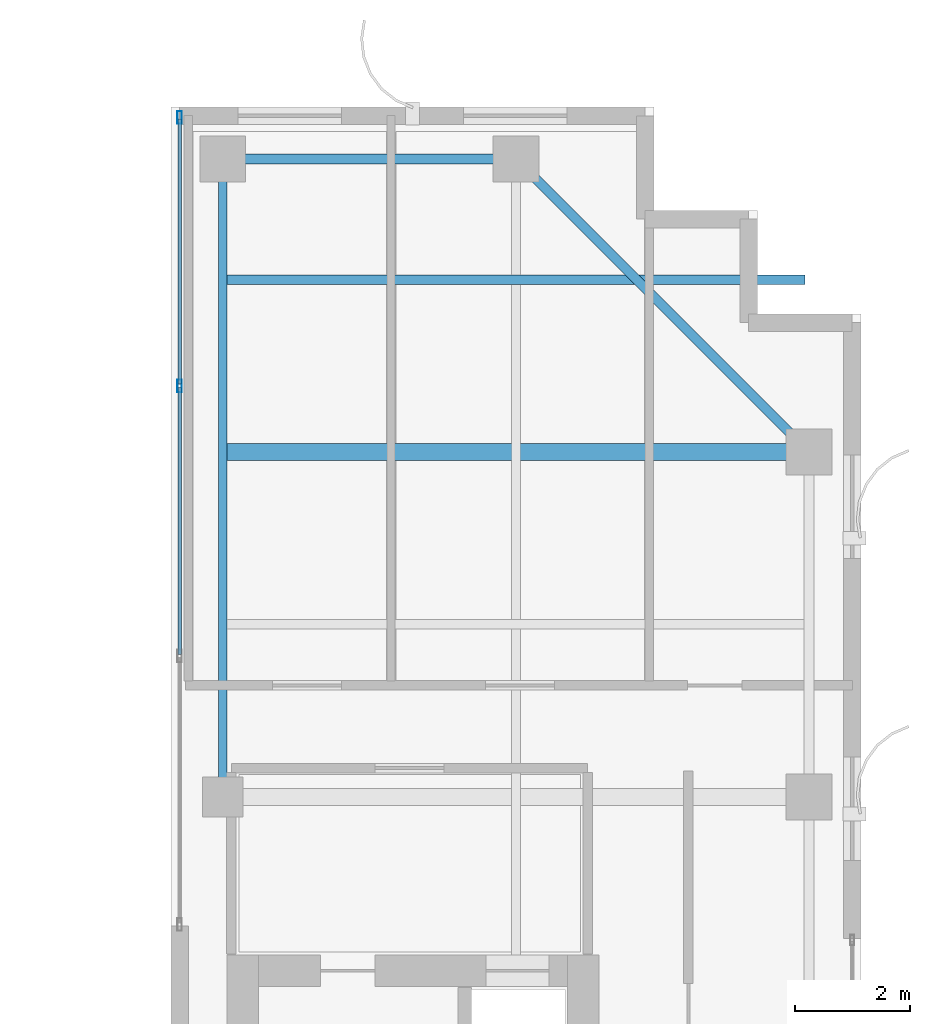
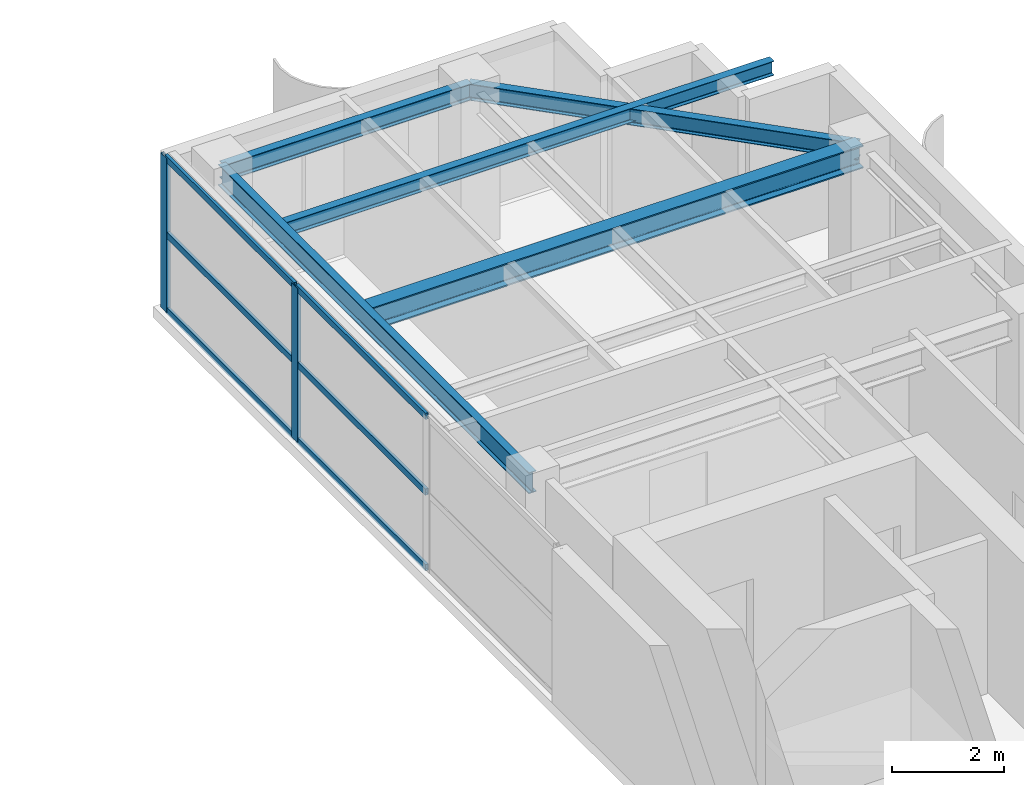
# One storey, part 16 of 24: 8 members, 5 beams, 1 element without a shape of its own.
"""IFC4 building model written with IfcOpenShell, lengths in metres."""

from ifc_helpers import new_model, si_unit, direction, frame, origin, origin_2d, place, context, subcontext, project, spatial, hollow_rectangle, i_section, extrude, source, transform, mapped, material, layer, layer_set, material_profile, profile_set, type_object, element, aggregate, save


model = new_model("IFC4")

# Units and contexts
model_context = context("Model", 3, precision=1e-05, world=origin(), true_north=direction((0.0, 1.0)))
body_context = subcontext(model_context, "Body", "Model", "MODEL_VIEW")
ifc_project = project(units=[si_unit("LENGTHUNIT", "METRE"), si_unit("AREAUNIT", "SQUARE_METRE"), si_unit("VOLUMEUNIT", "CUBIC_METRE"), si_unit("PLANEANGLEUNIT", "RADIAN"), si_unit("MASSUNIT", "GRAM", prefix="KILO")], contexts=[model_context])

# Site, building, storey
site_placement = place(None, origin())
site = spatial("IfcSite", under=ifc_project, at=site_placement, CompositionType="ELEMENT")
building_placement = place(site_placement, origin())
building = spatial("IfcBuilding", under=site, at=building_placement, Name="Khoralis Quay Care Tower", CompositionType="ELEMENT")
storey_placement = place(building_placement, frame((0.0, 0.0, 238.5)))
storey = spatial("IfcBuildingStorey", under=building, at=storey_placement, Name="L62", CompositionType="ELEMENT", Elevation=238.5)

# Beams
ifc_material_1 = material(Name="Steel S355", Category="steel")
ifc_material_profile_1 = material_profile(ifc_material_1, i_section(OverallWidth=0.169921875, OverallDepth=0.360107421875, WebThickness=0.008056640625, FlangeThickness=0.0126953125, FilletRadius=0.01806640625, at=origin_2d()), Name="Steel S355")
ifc_profile_set_1 = profile_set([ifc_material_profile_1], Name="Steel S355")
beam_type_1 = type_object("IfcBeamType", Name="BM-IPE360", PredefinedType="SPANDREL", material=ifc_profile_set_1)
shared_shape_1 = source(origin(), body_context, "Body", "SweptSolid", [
    extrude(i_section(OverallWidth=0.169921875, OverallDepth=0.360107421875, WebThickness=0.008056640625, FlangeThickness=0.0126953125, FilletRadius=0.01806640625, at=origin_2d()), origin(), (0.0, 0.0, 1.0), 5.10009765625),
])
beam_1_placement = place(storey_placement, frame((30.89990234375, 41.10009765625, 3.179931640625), z_axis=(1.0, 0.0, 0.0), x_axis=(0.0, 1.0, 0.0)))
element("IfcBeam", 1, at=beam_1_placement, inside=storey, type_object=beam_type_1, Name="BM-TSP-L62-04", PredefinedType="SPANDREL", context=body_context, shape_type="MappedRepresentation", body=[
    mapped(shared_shape_1, transform((0.0, 0.0, 0.0), scale=1.0)),
])
ifc_material_profile_2 = material_profile(ifc_material_1, i_section(OverallWidth=0.154052734375, OverallDepth=0.458984375, WebThickness=0.009033203125, FlangeThickness=0.015380859375, FilletRadius=0.014892578125, at=origin_2d()), Name="Steel S355")
ifc_profile_set_2 = profile_set([ifc_material_profile_2], Name="Steel S355")
beam_type_2 = type_object("IfcBeamType", Name="BM-W460X68", PredefinedType="BEAM", material=ifc_profile_set_2)
shared_shape_2 = source(origin(), body_context, "Body", "SweptSolid", [
    extrude(i_section(OverallWidth=0.154052734375, OverallDepth=0.458984375, WebThickness=0.009033203125, FlangeThickness=0.015380859375, FilletRadius=0.014892578125, at=origin_2d()), origin(), (0.0, 0.0, 1.0), 11.10009765625),
])
beam_2_placement = place(storey_placement, frame((30.89990234375, 30.0, 3.130615234375), z_axis=(0.0, 1.0, 0.0), x_axis=(-1.0, 0.0, 0.0)))
element("IfcBeam", 2, at=beam_2_placement, inside=storey, type_object=beam_type_2, Name="BM-TGYN-L62-309", PredefinedType="BEAM", context=body_context, shape_type="MappedRepresentation", body=[
    mapped(shared_shape_2, transform((0.0, 0.0, 0.0), scale=1.0)),
])
shared_shape_3 = source(origin(), body_context, "Body", "SweptSolid", [
    extrude(i_section(OverallWidth=0.169921875, OverallDepth=0.360107421875, WebThickness=0.008056640625, FlangeThickness=0.0126953125, FilletRadius=0.01806640625, at=origin_2d()), origin(), (0.0, 0.0, 1.0), 7.212646484375),
])
beam_3_placement = place(storey_placement, frame((36.0, 41.10009765625, 3.179931640625), z_axis=(0.707106781187, -0.707106781187, 0.0), x_axis=(0.707106781187, 0.707106781187, 0.0)))
element("IfcBeam", 3, at=beam_3_placement, inside=storey, type_object=beam_type_1, Name="BM-TCR-L62-16", PredefinedType="SPANDREL", context=body_context, shape_type="MappedRepresentation", body=[
    mapped(shared_shape_3, transform((0.0, 0.0, 0.0), scale=1.0)),
])
ifc_material_profile_3 = material_profile(ifc_material_1, i_section(OverallWidth=0.300048828125, OverallDepth=0.5, WebThickness=0.014404296875, FlangeThickness=0.028076171875, FilletRadius=0.027099609375, at=origin_2d()), Name="Steel S355")
ifc_profile_set_3 = profile_set([ifc_material_profile_3], Name="Steel S355")
beam_type_3 = type_object("IfcBeamType", Name="BM-HEB500", PredefinedType="BEAM", material=ifc_profile_set_3)
shared_shape_4 = source(origin(), body_context, "Body", "SweptSolid", [
    extrude(i_section(OverallWidth=0.300048828125, OverallDepth=0.5, WebThickness=0.014404296875, FlangeThickness=0.028076171875, FilletRadius=0.027099609375, at=origin_2d()), origin(), (0.0, 0.0, 1.0), 10.135009765625),
])
beam_4_placement = place(storey_placement, frame((30.965087890625, 36.0, 3.110107421875), z_axis=(1.0, 0.0, 0.0), x_axis=(0.0, 1.0, 0.0)))
element("IfcBeam", 4, at=beam_4_placement, inside=storey, type_object=beam_type_3, Name="BM-TGXE-L62-360", PredefinedType="BEAM", context=body_context, shape_type="MappedRepresentation", body=[
    mapped(shared_shape_4, transform((0.0, 0.0, 0.0), scale=1.0)),
])
ifc_material_profile_4 = material_profile(ifc_material_1, i_section(OverallWidth=0.1650390625, OverallDepth=0.31005859375, WebThickness=0.005859375, FlangeThickness=0.009765625, FilletRadius=0.011962890625, at=origin_2d()), Name="Steel S355")
ifc_profile_set_4 = profile_set([ifc_material_profile_4], Name="Steel S355")
beam_type_4 = type_object("IfcBeamType", Name="BM-W310X39", PredefinedType="JOIST", material=ifc_profile_set_4)
shared_shape_5 = source(origin(), body_context, "Body", "SweptSolid", [
    extrude(i_section(OverallWidth=0.1650390625, OverallDepth=0.31005859375, WebThickness=0.005859375, FlangeThickness=0.009765625, FilletRadius=0.011962890625, at=origin_2d()), origin(), (0.0, 0.0, 1.0), 10.06396484375),
])
beam_5_placement = place(storey_placement, frame((30.965087890625, 39.0, 3.205078125), z_axis=(1.0, 0.0, 0.0), x_axis=(0.0, 1.0, 0.0)))
element("IfcBeam", 5, at=beam_5_placement, inside=storey, type_object=beam_type_4, Name="BM-TJS-L62-22", PredefinedType="JOIST", context=body_context, shape_type="MappedRepresentation", body=[
    mapped(shared_shape_5, transform((0.0, 0.0, 0.0), scale=1.0)),
])

# Curtain wall, members
ifc_material_2 = material(Name="Pale anodised aluminium", Category="aluminium")
ifc_layer = layer(ifc_material_2, 0.18994140625)
ifc_layer_set = layer_set([ifc_layer], Name="Pale anodised aluminium")
curtain_wall_type = type_object("IfcCurtainWallType", Name="CW-SYS-PORTAL", PredefinedType="NOTDEFINED", material=ifc_layer_set)
curtain_wall_placement = place(storey_placement, origin())
curtain_wall = element("IfcCurtainWall", 6, at=curtain_wall_placement, inside=storey, type_object=curtain_wall_type, Name="L62 Unitised Curtain Wall CW-VP-L62-P2-N", PredefinedType="NOTDEFINED")
ifc_material_profile_5 = material_profile(ifc_material_2, hollow_rectangle(XDim=0.06005859375, YDim=0.139892578125, WallThickness=0.00390625, at=origin_2d()), Name="Pale anodised aluminium")
ifc_profile_set_5 = profile_set([ifc_material_profile_5], Name="Pale anodised aluminium")
member_type_1 = type_object("IfcMemberType", Name="CW-TRN-140", PredefinedType="USERDEFINED", material=ifc_profile_set_5)
shared_shape_6 = source(origin(), body_context, "Body", "SweptSolid", [
    extrude(hollow_rectangle(XDim=0.06005859375, YDim=0.139892578125, WallThickness=0.00390625, at=origin_2d()), origin(), (0.0, 0.0, 1.0), 4.610107421875),
])
member_1_placement = place(storey_placement, frame((30.14990234375, 37.179931640625, 0.030029296875), z_axis=(0.0, 1.0, 0.0), x_axis=(-1.0, 0.0, 0.0)))
member_1 = element("IfcMember", 7, at=member_1_placement, type_object=member_type_1, Name="CW4 transom 3.1", ObjectType="TRANSOM", PredefinedType="USERDEFINED", context=body_context, shape_type="MappedRepresentation", body=[
    mapped(shared_shape_6, transform((0.0, 0.0, 0.0), scale=1.0)),
])
member_2_placement = place(storey_placement, frame((30.14990234375, 37.179931640625, 1.679931640625), z_axis=(0.0, 1.0, 0.0), x_axis=(-1.0, 0.0, 0.0)))
member_2 = element("IfcMember", 8, at=member_2_placement, type_object=member_type_1, Name="CW4 transom 3.2", ObjectType="TRANSOM", PredefinedType="USERDEFINED", context=body_context, shape_type="MappedRepresentation", body=[
    mapped(shared_shape_6, transform((0.0, 0.0, 0.0), scale=1.0)),
])
member_3_placement = place(storey_placement, frame((30.14990234375, 37.179931640625, 3.330078125), z_axis=(0.0, 1.0, 0.0), x_axis=(-1.0, 0.0, 0.0)))
member_3 = element("IfcMember", 9, at=member_3_placement, type_object=member_type_1, Name="CW4 transom 3.3", ObjectType="TRANSOM", PredefinedType="USERDEFINED", context=body_context, shape_type="MappedRepresentation", body=[
    mapped(shared_shape_6, transform((0.0, 0.0, 0.0), scale=1.0)),
])
shared_shape_7 = source(origin(), body_context, "Body", "SweptSolid", [
    extrude(hollow_rectangle(XDim=0.06005859375, YDim=0.139892578125, WallThickness=0.00390625, at=origin_2d()), origin(), (0.0, 0.0, 1.0), 4.64013671875),
])
member_4_placement = place(storey_placement, frame((30.14990234375, 32.47998046875, 0.030029296875), z_axis=(0.0, 1.0, 0.0), x_axis=(-1.0, 0.0, 0.0)))
member_4 = element("IfcMember", 10, at=member_4_placement, type_object=member_type_1, Name="CW4 transom 2.1", ObjectType="TRANSOM", PredefinedType="USERDEFINED", context=body_context, shape_type="MappedRepresentation", body=[
    mapped(shared_shape_7, transform((0.0, 0.0, 0.0), scale=1.0)),
])
member_5_placement = place(storey_placement, frame((30.14990234375, 32.47998046875, 1.679931640625), z_axis=(0.0, 1.0, 0.0), x_axis=(-1.0, 0.0, 0.0)))
member_5 = element("IfcMember", 11, at=member_5_placement, type_object=member_type_1, Name="CW4 transom 2.2", ObjectType="TRANSOM", PredefinedType="USERDEFINED", context=body_context, shape_type="MappedRepresentation", body=[
    mapped(shared_shape_7, transform((0.0, 0.0, 0.0), scale=1.0)),
])
member_6_placement = place(storey_placement, frame((30.14990234375, 32.47998046875, 3.330078125), z_axis=(0.0, 1.0, 0.0), x_axis=(-1.0, 0.0, 0.0)))
member_6 = element("IfcMember", 12, at=member_6_placement, type_object=member_type_1, Name="CW4 transom 2.3", ObjectType="TRANSOM", PredefinedType="USERDEFINED", context=body_context, shape_type="MappedRepresentation", body=[
    mapped(shared_shape_7, transform((0.0, 0.0, 0.0), scale=1.0)),
])
ifc_material_profile_6 = material_profile(ifc_material_2, hollow_rectangle(XDim=0.074951171875, YDim=0.219970703125, WallThickness=0.00390625, at=origin_2d()), Name="Pale anodised aluminium")
ifc_profile_set_6 = profile_set([ifc_material_profile_6], Name="Pale anodised aluminium")
member_type_2 = type_object("IfcMemberType", Name="CW-MUL-220", PredefinedType="MULLION", material=ifc_profile_set_6)
shared_shape_8 = source(origin(), body_context, "Body", "SweptSolid", [
    extrude(hollow_rectangle(XDim=0.074951171875, YDim=0.219970703125, WallThickness=0.00390625, at=origin_2d()), origin(), (0.0, 0.0, 1.0), 3.360107421875),
])
member_7_placement = place(storey_placement, frame((30.14990234375, 37.14990234375, 0.0), z_axis=(0.0, 0.0, 1.0), x_axis=(-1.0, 0.0, 0.0)))
member_7 = element("IfcMember", 13, at=member_7_placement, type_object=member_type_2, Name="CW4 mullion 3", PredefinedType="MULLION", context=body_context, shape_type="MappedRepresentation", body=[
    mapped(shared_shape_8, transform((0.0, 0.0, 0.0), scale=1.0)),
])
member_8_placement = place(storey_placement, frame((30.14990234375, 41.820068359375, 0.0), z_axis=(0.0, 0.0, 1.0), x_axis=(-1.0, 0.0, 0.0)))
member_8 = element("IfcMember", 14, at=member_8_placement, type_object=member_type_2, Name="CW4 mullion 4", PredefinedType="MULLION", context=body_context, shape_type="MappedRepresentation", body=[
    mapped(shared_shape_8, transform((0.0, 0.0, 0.0), scale=1.0)),
])
aggregate(curtain_wall, [member_7, member_8, member_4, member_5, member_6, member_1, member_2, member_3])

save(model, "model.ifc")
